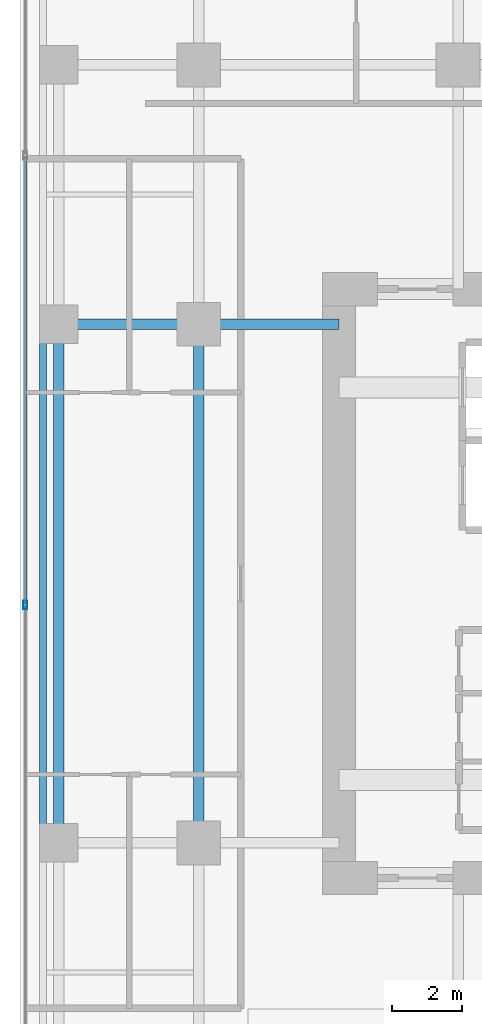
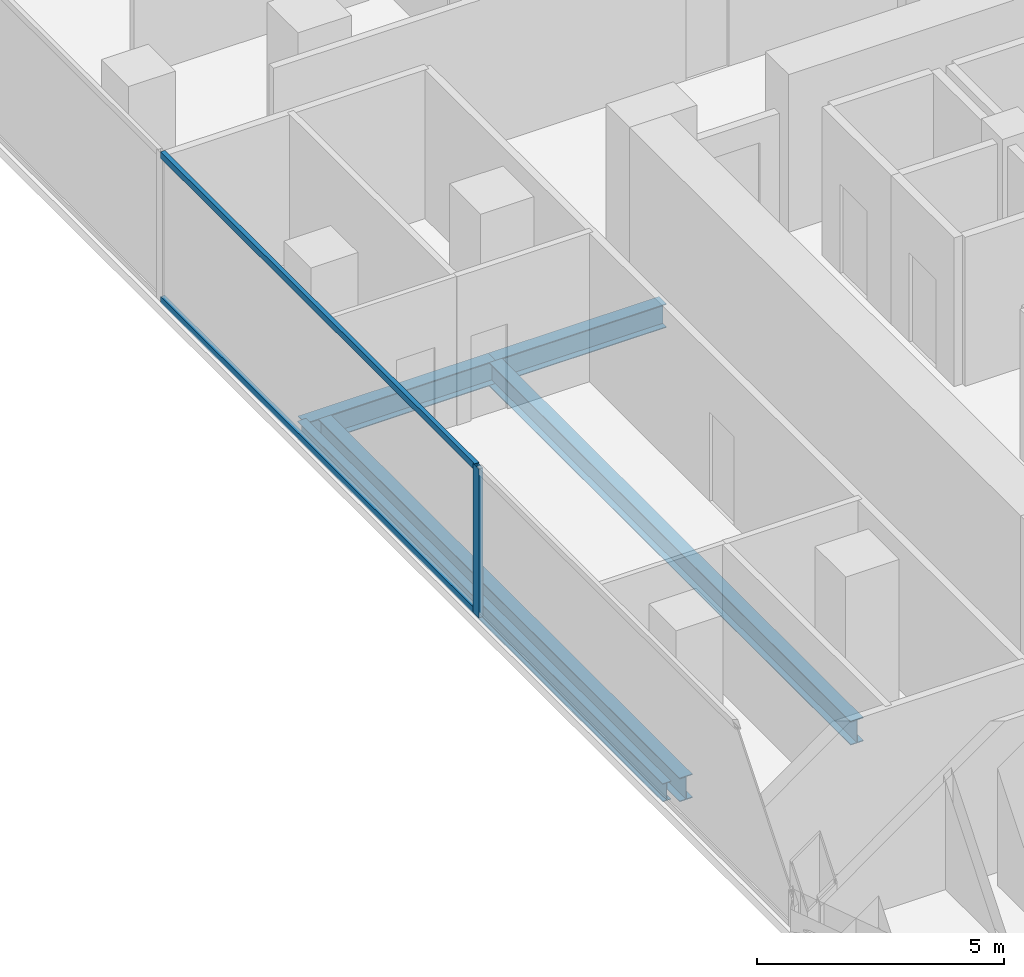
# One storey, part 6 of 27: 5 beams, 3 members, 1 element without a shape of its own.
"""IFC4 building model written with IfcOpenShell, lengths in metres."""

from ifc_helpers import new_model, si_unit, direction, frame, origin, origin_2d, place, context, subcontext, project, spatial, hollow_rectangle, i_section, extrude, material, layer, layer_set, material_profile, profile_set, type_object, element, aggregate, save


model = new_model("IFC4")

# Units and contexts
model_context = context("Model", 3, precision=1e-05, world=origin(), true_north=direction((0.0, 1.0)))
body_context = subcontext(model_context, "Body", "Model", "MODEL_VIEW")
ifc_project = project(units=[si_unit("LENGTHUNIT", "METRE"), si_unit("AREAUNIT", "SQUARE_METRE"), si_unit("VOLUMEUNIT", "CUBIC_METRE"), si_unit("PLANEANGLEUNIT", "RADIAN"), si_unit("MASSUNIT", "GRAM", prefix="KILO")], contexts=[model_context])

# Site, building, storey
site_placement = place(None, origin())
site = spatial("IfcSite", under=ifc_project, at=site_placement, CompositionType="ELEMENT")
building_placement = place(site_placement, origin())
building = spatial("IfcBuilding", under=site, at=building_placement, Name="Khorvyn Point Tower", CompositionType="ELEMENT")
storey_placement = place(building_placement, frame((0.0, 0.0, 125.10009765625)))
storey = spatial("IfcBuildingStorey", under=building, at=storey_placement, Name="L31", CompositionType="ELEMENT", Elevation=125.10009765625)

# Curtain wall, members
ifc_material_1 = material(Name="Anodised aluminium 6063-T6 and laminated Low-E glass", Category="aluminium")
ifc_layer = layer(ifc_material_1, 0.18994140625)
ifc_layer_set = layer_set([ifc_layer], Name="Stick-Built Acoustic Curtain Wall CW-SYS-03")
curtain_wall_type = type_object("IfcCurtainWallType", Name="Stick-Built Acoustic Curtain Wall CW-SYS-03", PredefinedType="NOTDEFINED", material=ifc_layer_set)
curtain_wall_placement = place(storey_placement, origin())
curtain_wall = element("IfcCurtainWall", 1, at=curtain_wall_placement, inside=storey, type_object=curtain_wall_type, Name="Curtain Wall", PredefinedType="NOTDEFINED")
ifc_material_2 = material(Name="Anodised aluminium 6063-T6", Category="aluminium")
ifc_material_profile_1 = material_profile(ifc_material_2, hollow_rectangle(XDim=0.10009765625, YDim=0.239990234375, WallThickness=0.0048828125, at=origin_2d()))
ifc_profile_set_1 = profile_set([ifc_material_profile_1], Name="Anodised aluminium 6063-T6 ALU-MUL-100x240")
member_type_1 = type_object("IfcMemberType", Name="Anodised Aluminium 6063-T6 Mullion ALU-MUL-100x240", PredefinedType="MULLION", material=ifc_profile_set_1)
member_1_placement = place(storey_placement, frame((-19.75, -0.61669921875, 0.0), z_axis=(0.0, 0.0, 1.0), x_axis=(-1.0, 0.0, 0.0)))
member_1 = element("IfcMember", 2, at=member_1_placement, type_object=member_type_1, Name="Transom", PredefinedType="MULLION", context=body_context, shape_type="SweptSolid", body=[
    extrude(hollow_rectangle(XDim=0.10009765625, YDim=0.239990234375, WallThickness=0.0048828125, at=origin_2d()), origin(), (0.0, 0.0, 1.0), 3.679931640625),
])
ifc_material_profile_2 = material_profile(ifc_material_2, hollow_rectangle(XDim=0.10009765625, YDim=0.159912109375, WallThickness=0.00439453125, at=origin_2d()))
ifc_profile_set_2 = profile_set([ifc_material_profile_2], Name="Anodised aluminium 6063-T6 ALU-TRN-100x160")
member_type_2 = type_object("IfcMemberType", Name="Anodised Aluminium 6063-T6 Transom ALU-TRN-100x160", PredefinedType="USERDEFINED", material=ifc_profile_set_2)
member_2_placement = place(storey_placement, frame((-19.75, -0.566650390625, 0.0498046875), z_axis=(0.0, 1.0, 0.0), x_axis=(-1.0, 0.0, 0.0)))
member_2 = element("IfcMember", 3, at=member_2_placement, type_object=member_type_2, Name="Transom", ObjectType="TRANSOM", PredefinedType="USERDEFINED", context=body_context, shape_type="SweptSolid", body=[
    extrude(hollow_rectangle(XDim=0.10009765625, YDim=0.159912109375, WallThickness=0.00439453125, at=origin_2d()), origin(), (0.0, 0.0, 1.0), 12.7333984375),
])
member_3_placement = place(storey_placement, frame((-19.75, -0.566650390625, 3.6298828125), z_axis=(0.0, 1.0, 0.0), x_axis=(-1.0, 0.0, 0.0)))
member_3 = element("IfcMember", 4, at=member_3_placement, type_object=member_type_2, Name="Transom", ObjectType="TRANSOM", PredefinedType="USERDEFINED", context=body_context, shape_type="SweptSolid", body=[
    extrude(hollow_rectangle(XDim=0.10009765625, YDim=0.159912109375, WallThickness=0.00439453125, at=origin_2d()), origin(), (0.0, 0.0, 1.0), 12.7333984375),
])
aggregate(curtain_wall, [member_1, member_2, member_3])

# Beams
ifc_material_3 = material(Name="Steel S355", Category="steel")
ifc_material_profile_3 = material_profile(ifc_material_3, i_section(OverallWidth=0.300048828125, OverallDepth=0.587890625, WebThickness=0.011962890625, FlangeThickness=0.02001953125, at=origin_2d()))
ifc_profile_set_3 = profile_set([ifc_material_profile_3], Name="Steel S355 H588x300x12x20")
beam_type_1 = type_object("IfcBeamType", Name="Steel S355 Beam H588x300x12x20", PredefinedType="BEAM", material=ifc_profile_set_3)
beam_1_placement = place(storey_placement, frame((-19.25, 7.39990234375, -0.51416015625), z_axis=(1.0, 0.0, 0.0), x_axis=(0.0, 1.0, 0.0)))
element("IfcBeam", 5, at=beam_1_placement, inside=storey, type_object=beam_type_1, Name="Beam", PredefinedType="BEAM", context=body_context, shape_type="SweptSolid", body=[
    extrude(i_section(OverallWidth=0.300048828125, OverallDepth=0.587890625, WebThickness=0.011962890625, FlangeThickness=0.02001953125, at=origin_2d()), origin(), (0.0, 0.0, 1.0), 4.449951171875),
])
beam_2_placement = place(storey_placement, frame((-14.800048828125, 7.39990234375, -0.51416015625), z_axis=(1.0, 0.0, 0.0), x_axis=(0.0, 1.0, 0.0)))
element("IfcBeam", 6, at=beam_2_placement, inside=storey, type_object=beam_type_1, Name="Beam", PredefinedType="BEAM", context=body_context, shape_type="SweptSolid", body=[
    extrude(i_section(OverallWidth=0.300048828125, OverallDepth=0.587890625, WebThickness=0.011962890625, FlangeThickness=0.02001953125, at=origin_2d()), origin(), (0.0, 0.0, 1.0), 4.0),
])
for number, where, z_axis, x_axis, name in (
    (7, (-14.800048828125, -7.39990234375, -0.51416015625), (0.0, 1.0, 0.0), (-1.0, 0.0, 0.0), "Beam"),
    (8, (-18.800048828125, -7.39990234375, -0.51416015625), (0.0, 1.0, 0.0), (-1.0, 0.0, 0.0), "Beam"),
):
    element("IfcBeam", number, at=place(storey_placement, frame(where, z_axis=z_axis, x_axis=x_axis)), inside=storey, type_object=beam_type_1, Name=name, PredefinedType="BEAM", context=body_context, shape_type="SweptSolid", body=[
        extrude(i_section(OverallWidth=0.300048828125, OverallDepth=0.587890625, WebThickness=0.011962890625, FlangeThickness=0.02001953125, at=origin_2d()), origin(), (0.0, 0.0, 1.0), 14.7998046875),
    ])
ifc_material_profile_4 = material_profile(ifc_material_3, i_section(OverallWidth=0.199951171875, OverallDepth=0.449951171875, WebThickness=0.009033203125, FlangeThickness=0.013916015625, at=origin_2d()))
ifc_profile_set_4 = profile_set([ifc_material_profile_4], Name="Steel S355 H450x200x9x14")
beam_type_2 = type_object("IfcBeamType", Name="Steel S355 Spandrel H450x200x9x14", PredefinedType="SPANDREL", material=ifc_profile_set_4)
beam_3_placement = place(storey_placement, frame((-19.25, -7.39990234375, -0.445068359375), z_axis=(0.0, 1.0, 0.0), x_axis=(-1.0, 0.0, 0.0)))
element("IfcBeam", 9, at=beam_3_placement, inside=storey, type_object=beam_type_2, Name="Beam", PredefinedType="SPANDREL", context=body_context, shape_type="SweptSolid", body=[
    extrude(i_section(OverallWidth=0.199951171875, OverallDepth=0.449951171875, WebThickness=0.009033203125, FlangeThickness=0.013916015625, at=origin_2d()), origin(), (0.0, 0.0, 1.0), 14.7998046875),
])

save(model, "model.ifc")
